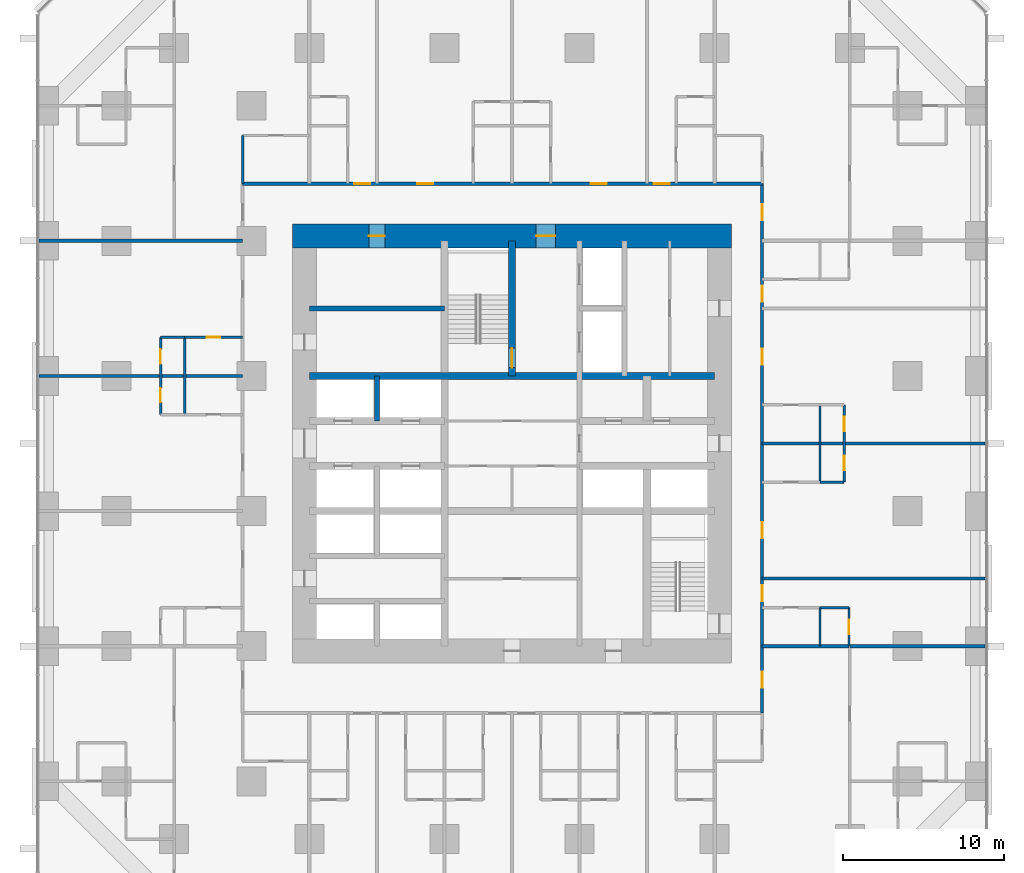
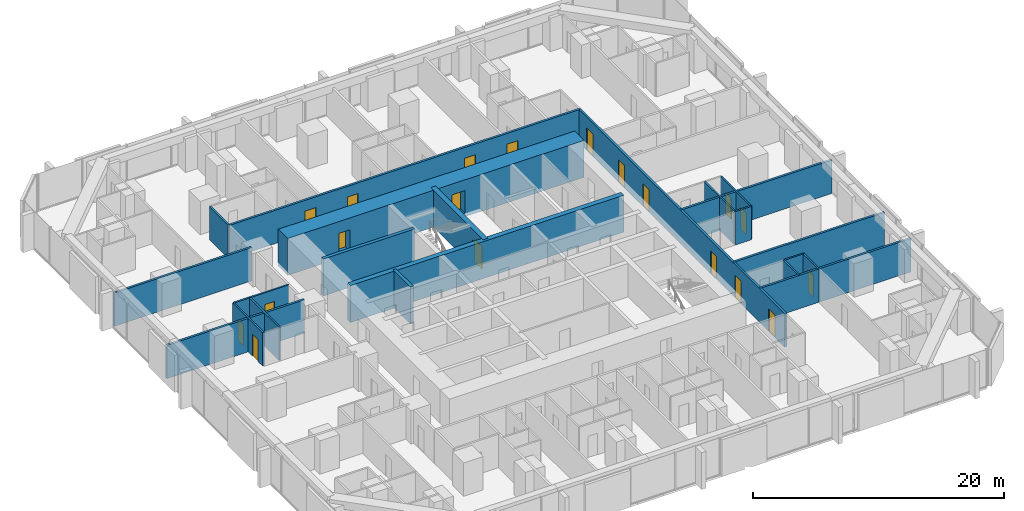
# One storey, part 14 of 17: 24 walls, 19 doors, 19 openings.
"""IFC4 building model written with IfcOpenShell, lengths in metres."""

from ifc_helpers import new_model, si_unit, direction, frame, frame_2d, origin, place, context, subcontext, project, spatial, rectangle, extrude, material, layer, layer_set, type_object, element, fill, save


model = new_model("IFC4")

# Units and contexts
model_context = context("Model", 3, precision=1e-05, world=origin(), true_north=direction((0.0, 1.0)))
body_context = subcontext(model_context, "Body", "Model", "MODEL_VIEW")
ifc_project = project(units=[si_unit("LENGTHUNIT", "METRE"), si_unit("AREAUNIT", "SQUARE_METRE"), si_unit("VOLUMEUNIT", "CUBIC_METRE"), si_unit("PLANEANGLEUNIT", "RADIAN"), si_unit("MASSUNIT", "GRAM", prefix="KILO")], contexts=[model_context])

# Site, building, storey
site_placement = place(None, origin())
site = spatial("IfcSite", under=ifc_project, at=site_placement, CompositionType="ELEMENT")
building_placement = place(site_placement, origin())
building = spatial("IfcBuilding", under=site, at=building_placement, Name="Dunama Terrace Hotel", CompositionType="ELEMENT")
storey_placement = place(building_placement, frame((0.0, 0.0, 73.800048828125)))
storey = spatial("IfcBuildingStorey", under=building, at=storey_placement, Name="L18", CompositionType="ELEMENT", Elevation=73.800048828125)

# Wall
ifc_material_1 = material(Name="Gypsum board partition", Category="masonry")
ifc_layer_1 = layer(ifc_material_1, 0.14990234375)
ifc_layer_set_1 = layer_set([ifc_layer_1], Name="Bathroom partition 150")
wall_type_1 = type_object("IfcWallType", Name="Bathroom partition 150", PredefinedType="PARTITIONING", material=ifc_layer_set_1)
wall_1_placement = place(storey_placement, frame((12.64990234375, 45.550048828125, 0.0), z_axis=(0.0, 0.0, 1.0), x_axis=(0.0, 1.0, 0.0)))
element("IfcWall", 1, at=wall_1_placement, inside=storey, type_object=wall_type_1, Name="Bathroom partition 150 L18", PredefinedType="PARTITIONING", context=body_context, shape_type="SweptSolid", body=[
    extrude(rectangle(XDim=3.0, YDim=0.14990234375, at=frame_2d((1.5, 0.0))), origin(), (0.0, 0.0, 1.0), 3.25),
])

# Wall, opening, door
wall_2_placement = place(storey_placement, frame((9.050048828125, 36.0, 0.0), z_axis=(0.0, 0.0, 1.0), x_axis=(1.0, 0.0, 0.0)))
wall_2 = element("IfcWall", 2, at=wall_2_placement, inside=storey, type_object=wall_type_1, Name="Bathroom partition 150 L18", PredefinedType="PARTITIONING", context=body_context, shape_type="SweptSolid", body=[
    extrude(rectangle(XDim=3.599853515625, YDim=0.14990234375, at=frame_2d((1.7998046875, 0.0))), origin(), (0.0, 0.0, 1.0), 3.25),
])
opening_1_placement = place(wall_2_placement, frame((1.375, 0.0, 0.0)))
opening_1 = element("IfcOpeningElement", 3, at=opening_1_placement, cuts=wall_2, Name="Opening L17-19-058", PredefinedType="OPENING", context=body_context, shape_type="SweptSolid", body=[
    extrude(rectangle(XDim=0.85009765625, YDim=2.10009765625, at=frame_2d((0.425048828125, 1.050048828125))), frame((0.0, 0.0849609375, 0.0), z_axis=(0.0, -1.0, 0.0), x_axis=(1.0, 0.0, 0.0)), (0.0, 0.0, 1.0), 0.169921875),
])
ifc_material_2 = material(Name="Timber door with steel frame", Category="steel")
door_type_1 = type_object("IfcDoorType", Name="Bathroom door 850", OperationType="SINGLE_SWING_LEFT", PredefinedType="DOOR", material=ifc_material_2)
door_1_placement = place(opening_1_placement, frame((0.85009765625, 0.0, 0.0), z_axis=(0.0, 0.0, 1.0), x_axis=(-1.0, 0.0, 0.0)))
door_1 = element("IfcDoor", 4, at=door_1_placement, inside=storey, type_object=door_type_1, Name="Door to en-suite bathroom L17-19-058, type D2", OperationType="SINGLE_SWING_LEFT", OverallHeight=2.10009765625, OverallWidth=0.85009765625, PredefinedType="DOOR", context=body_context, shape_type="SweptSolid", body=[
    extrude(rectangle(XDim=0.85009765625, YDim=2.10009765625, at=frame_2d((0.425048828125, 1.050048828125))), frame((0.0, 0.025146484375, 0.0), z_axis=(0.0, -1.0, 0.0), x_axis=(1.0, 0.0, 0.0)), (0.0, 0.0, 1.0), 0.050048828125),
])
fill(opening_1, door_1)

# Walls
ifc_material_3 = material(Name="Concrete C50/60", Category="concrete")
ifc_layer_2 = layer(ifc_material_3, 0.300048828125)
ifc_layer_set_2 = layer_set([ifc_layer_2], Name="Core inner wall 300")
wall_type_2 = type_object("IfcWallType", Name="Core inner wall 300", PredefinedType="SHEAR", material=ifc_layer_set_2)
wall_3_placement = place(storey_placement, frame((21.0, 30.800048828125, -0.35009765625), z_axis=(0.0, 0.0, 1.0), x_axis=(0.0, 1.0, 0.0)))
element("IfcWall", 5, at=wall_3_placement, inside=storey, type_object=wall_type_2, Name="Core inner wall 300 L18", PredefinedType="SHEAR", context=body_context, shape_type="SweptSolid", body=[
    extrude(rectangle(XDim=2.800048828125, YDim=0.300048828125, at=frame_2d((1.39990234375, 0.0))), origin(), (0.0, 0.0, 1.0), 3.60009765625),
])
wall_4_placement = place(storey_placement, frame((16.800048828125, 37.800048828125, -0.35009765625), z_axis=(0.0, 0.0, 1.0), x_axis=(1.0, 0.0, 0.0)))
element("IfcWall", 6, at=wall_4_placement, inside=storey, type_object=wall_type_2, Name="Core inner wall 300 L18", PredefinedType="SHEAR", context=body_context, shape_type="SweptSolid", body=[
    extrude(rectangle(XDim=8.39990234375, YDim=0.300048828125, at=frame_2d((4.199951171875, 0.0))), origin(), (0.0, 0.0, 1.0), 3.60009765625),
])

# Wall, opening, door
ifc_material_4 = material(Name="Concrete C50/60", Category="concrete")
ifc_layer_3 = layer(ifc_material_4, 0.449951171875)
ifc_layer_set_3 = layer_set([ifc_layer_3], Name="Core inner wall 450")
wall_type_3 = type_object("IfcWallType", Name="Core inner wall 450", PredefinedType="SHEAR", material=ifc_layer_set_3)
wall_5_placement = place(storey_placement, frame((29.39990234375, 33.60009765625, -0.35009765625), z_axis=(0.0, 0.0, 1.0), x_axis=(0.0, 1.0, 0.0)))
wall_5 = element("IfcWall", 7, at=wall_5_placement, inside=storey, type_object=wall_type_3, Name="Core inner wall 450 L18", PredefinedType="SHEAR", context=body_context, shape_type="SweptSolid", body=[
    extrude(rectangle(XDim=8.39990234375, YDim=0.449951171875, at=frame_2d((4.199951171875, 0.0))), origin(), (0.0, 0.0, 1.0), 3.60009765625),
])
opening_2_placement = place(wall_5_placement, frame((0.52490234375, 0.0, 0.35009765625)))
opening_2 = element("IfcOpeningElement", 8, at=opening_2_placement, cuts=wall_5, Name="Opening L17-19-001", PredefinedType="OPENING", context=body_context, shape_type="SweptSolid", body=[
    extrude(rectangle(XDim=1.199951171875, YDim=2.199951171875, at=frame_2d((0.60009765625, 1.10009765625))), frame((0.0, 0.23486328125, 0.0), z_axis=(0.0, -1.0, 0.0), x_axis=(1.0, 0.0, 0.0)), (0.0, 0.0, 1.0), 0.469970703125),
])
ifc_material_5 = material(Name="Timber door with steel frame", Category="steel")
door_type_2 = type_object("IfcDoorType", Name="Stair door 1200", OperationType="SINGLE_SWING_LEFT", PredefinedType="DOOR", material=ifc_material_5)
door_2_placement = place(opening_2_placement, origin())
door_2 = element("IfcDoor", 9, at=door_2_placement, inside=storey, type_object=door_type_2, Name="Stair door ST1 L17-19-001, type D5", OperationType="SINGLE_SWING_LEFT", OverallHeight=2.199951171875, OverallWidth=1.199951171875, PredefinedType="DOOR", context=body_context, shape_type="SweptSolid", body=[
    extrude(rectangle(XDim=1.199951171875, YDim=2.199951171875, at=frame_2d((0.60009765625, 1.10009765625))), frame((0.0, 0.02490234375, 0.0), z_axis=(0.0, -1.0, 0.0), x_axis=(1.0, 0.0, 0.0)), (0.0, 0.0, 1.0), 0.050048828125),
])
fill(opening_2, door_2)

# Wall
wall_6_placement = place(storey_placement, frame((16.800048828125, 33.60009765625, -0.35009765625), z_axis=(0.0, 0.0, 1.0), x_axis=(1.0, 0.0, 0.0)))
element("IfcWall", 10, at=wall_6_placement, inside=storey, type_object=wall_type_3, Name="Core inner wall 450 L18", PredefinedType="SHEAR", context=body_context, shape_type="SweptSolid", body=[
    extrude(rectangle(XDim=25.199951171875, YDim=0.449951171875, at=frame_2d((12.60009765625, 0.0))), origin(), (0.0, 0.0, 1.0), 3.60009765625),
])

# Wall, openings, doors
ifc_material_6 = material(Name="Concrete C60/75", Category="concrete")
ifc_layer_4 = layer(ifc_material_6, 1.5)
ifc_layer_set_4 = layer_set([ifc_layer_4], Name="Core wall 1500")
wall_type_4 = type_object("IfcWallType", Name="Core wall 1500", PredefinedType="SHEAR", material=ifc_layer_set_4)
wall_7_placement = place(storey_placement, frame((43.050048828125, 42.300048828125, -0.35009765625), z_axis=(0.0, 0.0, 1.0), x_axis=(-1.0, 0.0, 0.0)))
wall_7 = element("IfcWall", 11, at=wall_7_placement, inside=storey, type_object=wall_type_4, Name="Core wall north L18", PredefinedType="SHEAR", context=body_context, shape_type="SweptSolid", body=[
    extrude(rectangle(XDim=27.300048828125, YDim=1.5, at=frame_2d((13.64990234375, 0.0))), origin(), (0.0, 0.0, 1.0), 3.60009765625),
])
opening_3_placement = place(wall_7_placement, frame((21.550048828125, 0.0, 0.35009765625)))
opening_3 = element("IfcOpeningElement", 12, at=opening_3_placement, cuts=wall_7, Name="Opening L17-19-087", PredefinedType="OPENING", context=body_context, shape_type="SweptSolid", body=[
    extrude(rectangle(XDim=1.0, YDim=2.10009765625, at=frame_2d((0.5, 1.050048828125))), frame((0.0, 0.760009765625, 0.0), z_axis=(0.0, -1.0, 0.0), x_axis=(1.0, 0.0, 0.0)), (0.0, 0.0, 1.0), 1.52001953125),
])
opening_4_placement = place(wall_7_placement, frame((10.949951171875, 0.0, 0.35009765625)))
opening_4 = element("IfcOpeningElement", 13, at=opening_4_placement, cuts=wall_7, Name="Opening L17-19-095", PredefinedType="OPENING", context=body_context, shape_type="SweptSolid", body=[
    extrude(rectangle(XDim=1.199951171875, YDim=2.199951171875, at=frame_2d((0.60009765625, 1.10009765625))), frame((0.0, 0.760009765625, 0.0), z_axis=(0.0, -1.0, 0.0), x_axis=(1.0, 0.0, 0.0)), (0.0, 0.0, 1.0), 1.52001953125),
])
ifc_material_7 = material(Name="Timber door with steel frame", Category="steel")
door_type_3 = type_object("IfcDoorType", Name="Firefighting lobby door 1200", OperationType="SINGLE_SWING_LEFT", PredefinedType="DOOR", material=ifc_material_7)
door_3_placement = place(opening_4_placement, origin())
door_3 = element("IfcDoor", 14, at=door_3_placement, inside=storey, type_object=door_type_3, Name="Door to firefighting lobby L17-19-095, type D4", OperationType="SINGLE_SWING_RIGHT", OverallHeight=2.199951171875, OverallWidth=1.199951171875, PredefinedType="DOOR", context=body_context, shape_type="SweptSolid", body=[
    extrude(rectangle(XDim=1.199951171875, YDim=2.199951171875, at=frame_2d((0.60009765625, 1.10009765625))), frame((0.0, 0.02490234375, 0.0), z_axis=(0.0, -1.0, 0.0), x_axis=(1.0, 0.0, 0.0)), (0.0, 0.0, 1.0), 0.050048828125),
])
fill(opening_4, door_3)
ifc_material_8 = material(Name="Timber door with steel frame", Category="steel")
door_type_4 = type_object("IfcDoorType", Name="Service door 1000", OperationType="SINGLE_SWING_LEFT", PredefinedType="DOOR", material=ifc_material_8)
door_4_placement = place(opening_3_placement, origin())
door_4 = element("IfcDoor", 15, at=door_4_placement, inside=storey, type_object=door_type_4, Name="Door to communications and riser room L17-19-087, type D7", OperationType="SINGLE_SWING_LEFT", OverallHeight=2.10009765625, OverallWidth=1.0, PredefinedType="DOOR", context=body_context, shape_type="SweptSolid", body=[
    extrude(rectangle(XDim=1.0, YDim=2.10009765625, at=frame_2d((0.5, 1.050048828125))), frame((0.0, 0.02490234375, 0.0), z_axis=(0.0, -1.0, 0.0), x_axis=(1.0, 0.0, 0.0)), (0.0, 0.0, 1.0), 0.050048828125),
])
fill(opening_3, door_4)

ifc_material_9 = material(Name="Concrete blockwork", Category="masonry")
ifc_layer_5 = layer(ifc_material_9, 0.199951171875)
ifc_layer_set_5 = layer_set([ifc_layer_5], Name="Corridor partition 200")
wall_type_5 = type_object("IfcWallType", Name="Corridor partition 200", PredefinedType="PARTITIONING", material=ifc_layer_set_5)
wall_8_placement = place(storey_placement, frame((12.64990234375, 45.550048828125, 0.0), z_axis=(0.0, 0.0, 1.0), x_axis=(1.0, 0.0, 0.0)))
wall_8 = element("IfcWall", 16, at=wall_8_placement, inside=storey, type_object=wall_type_5, Name="Corridor partition 200 L18", PredefinedType="PARTITIONING", context=body_context, shape_type="SweptSolid", body=[
    extrude(rectangle(XDim=32.300048828125, YDim=0.199951171875, at=frame_2d((16.14990234375, 0.0))), origin(), (0.0, 0.0, 1.0), 3.25),
])
opening_5_placement = place(wall_8_placement, frame((6.949951171875, 0.0, 0.0)))
opening_5 = element("IfcOpeningElement", 17, at=opening_5_placement, cuts=wall_8, Name="Opening L17-19-039", PredefinedType="OPENING", context=body_context, shape_type="SweptSolid", body=[
    extrude(rectangle(XDim=1.0, YDim=2.199951171875, at=frame_2d((0.5, 1.10009765625))), frame((0.0, 0.10986328125, 0.0), z_axis=(0.0, -1.0, 0.0), x_axis=(1.0, 0.0, 0.0)), (0.0, 0.0, 1.0), 0.219970703125),
])
opening_6_placement = place(wall_8_placement, frame((10.85009765625, 0.0, 0.0)))
opening_6 = element("IfcOpeningElement", 18, at=opening_6_placement, cuts=wall_8, Name="Opening L17-19-042", PredefinedType="OPENING", context=body_context, shape_type="SweptSolid", body=[
    extrude(rectangle(XDim=1.0, YDim=2.199951171875, at=frame_2d((0.5, 1.10009765625))), frame((0.0, 0.10986328125, 0.0), z_axis=(0.0, -1.0, 0.0), x_axis=(1.0, 0.0, 0.0)), (0.0, 0.0, 1.0), 0.219970703125),
])
opening_7_placement = place(wall_8_placement, frame((21.64990234375, 0.0, 0.0)))
opening_7 = element("IfcOpeningElement", 19, at=opening_7_placement, cuts=wall_8, Name="Opening L17-19-045", PredefinedType="OPENING", context=body_context, shape_type="SweptSolid", body=[
    extrude(rectangle(XDim=1.0, YDim=2.199951171875, at=frame_2d((0.5, 1.10009765625))), frame((0.0, 0.10986328125, 0.0), z_axis=(0.0, -1.0, 0.0), x_axis=(1.0, 0.0, 0.0)), (0.0, 0.0, 1.0), 0.219970703125),
])
opening_8_placement = place(wall_8_placement, frame((25.550048828125, 0.0, 0.0)))
opening_8 = element("IfcOpeningElement", 20, at=opening_8_placement, cuts=wall_8, Name="Opening L17-19-048", PredefinedType="OPENING", context=body_context, shape_type="SweptSolid", body=[
    extrude(rectangle(XDim=1.0, YDim=2.199951171875, at=frame_2d((0.5, 1.10009765625))), frame((0.0, 0.10986328125, 0.0), z_axis=(0.0, -1.0, 0.0), x_axis=(1.0, 0.0, 0.0)), (0.0, 0.0, 1.0), 0.219970703125),
])
ifc_material_10 = material(Name="Timber door with steel frame", Category="steel")
door_type_5 = type_object("IfcDoorType", Name="Guest room door 1000", OperationType="SINGLE_SWING_LEFT", PredefinedType="DOOR", material=ifc_material_10)
door_5_placement = place(opening_5_placement, origin())
door_5 = element("IfcDoor", 21, at=door_5_placement, inside=storey, type_object=door_type_5, Name="Door to deluxe room L17-19-039, type D1", OperationType="SINGLE_SWING_RIGHT", OverallHeight=2.199951171875, OverallWidth=1.0, PredefinedType="DOOR", context=body_context, shape_type="SweptSolid", body=[
    extrude(rectangle(XDim=1.0, YDim=2.199951171875, at=frame_2d((0.5, 1.10009765625))), frame((0.0, 0.02490234375, 0.0), z_axis=(0.0, -1.0, 0.0), x_axis=(1.0, 0.0, 0.0)), (0.0, 0.0, 1.0), 0.050048828125),
])
fill(opening_5, door_5)
door_6_placement = place(opening_6_placement, origin())
door_6 = element("IfcDoor", 22, at=door_6_placement, inside=storey, type_object=door_type_5, Name="Door to junior suite L17-19-042, type D1", OperationType="SINGLE_SWING_LEFT", OverallHeight=2.199951171875, OverallWidth=1.0, PredefinedType="DOOR", context=body_context, shape_type="SweptSolid", body=[
    extrude(rectangle(XDim=1.0, YDim=2.199951171875, at=frame_2d((0.5, 1.10009765625))), frame((0.0, 0.02490234375, 0.0), z_axis=(0.0, -1.0, 0.0), x_axis=(1.0, 0.0, 0.0)), (0.0, 0.0, 1.0), 0.050048828125),
])
fill(opening_6, door_6)
door_7_placement = place(opening_7_placement, origin())
door_7 = element("IfcDoor", 23, at=door_7_placement, inside=storey, type_object=door_type_5, Name="Door to junior suite L17-19-045, type D1", OperationType="SINGLE_SWING_RIGHT", OverallHeight=2.199951171875, OverallWidth=1.0, PredefinedType="DOOR", context=body_context, shape_type="SweptSolid", body=[
    extrude(rectangle(XDim=1.0, YDim=2.199951171875, at=frame_2d((0.5, 1.10009765625))), frame((0.0, 0.02490234375, 0.0), z_axis=(0.0, -1.0, 0.0), x_axis=(1.0, 0.0, 0.0)), (0.0, 0.0, 1.0), 0.050048828125),
])
fill(opening_7, door_7)
door_8_placement = place(opening_8_placement, origin())
door_8 = element("IfcDoor", 24, at=door_8_placement, inside=storey, type_object=door_type_5, Name="Door to deluxe room L17-19-048, type D1", OperationType="SINGLE_SWING_LEFT", OverallHeight=2.199951171875, OverallWidth=1.0, PredefinedType="DOOR", context=body_context, shape_type="SweptSolid", body=[
    extrude(rectangle(XDim=1.0, YDim=2.199951171875, at=frame_2d((0.5, 1.10009765625))), frame((0.0, 0.02490234375, 0.0), z_axis=(0.0, -1.0, 0.0), x_axis=(1.0, 0.0, 0.0)), (0.0, 0.0, 1.0), 0.050048828125),
])
fill(opening_8, door_8)

wall_9_placement = place(storey_placement, frame((44.949951171875, 45.550048828125, 0.0), z_axis=(0.0, 0.0, 1.0), x_axis=(0.0, -1.0, 0.0)))
wall_9 = element("IfcWall", 25, at=wall_9_placement, inside=storey, type_object=wall_type_5, Name="Corridor partition 200 L18", PredefinedType="PARTITIONING", context=body_context, shape_type="SweptSolid", body=[
    extrude(rectangle(XDim=32.900146484375, YDim=0.199951171875, at=frame_2d((16.4501953125, 0.0))), origin(), (0.0, 0.0, 1.0), 3.25),
])
opening_9_placement = place(wall_9_placement, frame((24.949951171875, 0.0, 0.0)))
opening_9 = element("IfcOpeningElement", 26, at=opening_9_placement, cuts=wall_9, Name="Opening L17-19-027", PredefinedType="OPENING", context=body_context, shape_type="SweptSolid", body=[
    extrude(rectangle(XDim=1.0, YDim=2.199951171875, at=frame_2d((0.5, 1.10009765625))), frame((0.0, 0.10986328125, 0.0), z_axis=(0.0, -1.0, 0.0), x_axis=(1.0, 0.0, 0.0)), (0.0, 0.0, 1.0), 0.219970703125),
])
opening_10_placement = place(wall_9_placement, frame((21.050048828125, 0.0, 0.0)))
opening_10 = element("IfcOpeningElement", 27, at=opening_10_placement, cuts=wall_9, Name="Opening L17-19-030", PredefinedType="OPENING", context=body_context, shape_type="SweptSolid", body=[
    extrude(rectangle(XDim=1.0, YDim=2.199951171875, at=frame_2d((0.5, 1.10009765625))), frame((0.0, 0.10986328125, 0.0), z_axis=(0.0, -1.0, 0.0), x_axis=(1.0, 0.0, 0.0)), (0.0, 0.0, 1.0), 0.219970703125),
])
opening_11_placement = place(wall_9_placement, frame((10.25, 0.0, 0.0)))
opening_11 = element("IfcOpeningElement", 28, at=opening_11_placement, cuts=wall_9, Name="Opening L17-19-033", PredefinedType="OPENING", context=body_context, shape_type="SweptSolid", body=[
    extrude(rectangle(XDim=1.0, YDim=2.199951171875, at=frame_2d((0.5, 1.10009765625))), frame((0.0, 0.10986328125, 0.0), z_axis=(0.0, -1.0, 0.0), x_axis=(1.0, 0.0, 0.0)), (0.0, 0.0, 1.0), 0.219970703125),
])
opening_12_placement = place(wall_9_placement, frame((6.35009765625, 0.0, 0.0)))
opening_12 = element("IfcOpeningElement", 29, at=opening_12_placement, cuts=wall_9, Name="Opening L17-19-036", PredefinedType="OPENING", context=body_context, shape_type="SweptSolid", body=[
    extrude(rectangle(XDim=1.0, YDim=2.199951171875, at=frame_2d((0.5, 1.10009765625))), frame((0.0, 0.10986328125, 0.0), z_axis=(0.0, -1.0, 0.0), x_axis=(1.0, 0.0, 0.0)), (0.0, 0.0, 1.0), 0.219970703125),
])
opening_13_placement = place(wall_9_placement, frame((30.324951171875, 0.0, 0.0)))
opening_13 = element("IfcOpeningElement", 30, at=opening_13_placement, cuts=wall_9, Name="Opening L17-19-066", PredefinedType="OPENING", context=body_context, shape_type="SweptSolid", body=[
    extrude(rectangle(XDim=1.0, YDim=2.199951171875, at=frame_2d((0.5, 1.10009765625))), frame((0.0, 0.10986328125, 0.0), z_axis=(0.0, -1.0, 0.0), x_axis=(1.0, 0.0, 0.0)), (0.0, 0.0, 1.0), 0.219970703125),
])
opening_14_placement = place(wall_9_placement, frame((1.27490234375, 0.0, 0.0)))
opening_14 = element("IfcOpeningElement", 31, at=opening_14_placement, cuts=wall_9, Name="Opening L17-19-072", PredefinedType="OPENING", context=body_context, shape_type="SweptSolid", body=[
    extrude(rectangle(XDim=1.0, YDim=2.199951171875, at=frame_2d((0.5, 1.10009765625))), frame((0.0, 0.10986328125, 0.0), z_axis=(0.0, -1.0, 0.0), x_axis=(1.0, 0.0, 0.0)), (0.0, 0.0, 1.0), 0.219970703125),
])
door_9_placement = place(opening_9_placement, origin())
door_9 = element("IfcDoor", 32, at=door_9_placement, inside=storey, type_object=door_type_5, Name="Door to deluxe room L17-19-027, type D1", OperationType="SINGLE_SWING_LEFT", OverallHeight=2.199951171875, OverallWidth=1.0, PredefinedType="DOOR", context=body_context, shape_type="SweptSolid", body=[
    extrude(rectangle(XDim=1.0, YDim=2.199951171875, at=frame_2d((0.5, 1.10009765625))), frame((0.0, 0.02490234375, 0.0), z_axis=(0.0, -1.0, 0.0), x_axis=(1.0, 0.0, 0.0)), (0.0, 0.0, 1.0), 0.050048828125),
])
fill(opening_9, door_9)
door_10_placement = place(opening_10_placement, origin())
door_10 = element("IfcDoor", 33, at=door_10_placement, inside=storey, type_object=door_type_5, Name="Door to junior suite L17-19-030, type D1", OperationType="SINGLE_SWING_LEFT", OverallHeight=2.199951171875, OverallWidth=1.0, PredefinedType="DOOR", context=body_context, shape_type="SweptSolid", body=[
    extrude(rectangle(XDim=1.0, YDim=2.199951171875, at=frame_2d((0.5, 1.10009765625))), frame((0.0, 0.02490234375, 0.0), z_axis=(0.0, -1.0, 0.0), x_axis=(1.0, 0.0, 0.0)), (0.0, 0.0, 1.0), 0.050048828125),
])
fill(opening_10, door_10)
door_11_placement = place(opening_11_placement, origin())
door_11 = element("IfcDoor", 34, at=door_11_placement, inside=storey, type_object=door_type_5, Name="Door to junior suite L17-19-033, type D1", OperationType="SINGLE_SWING_LEFT", OverallHeight=2.199951171875, OverallWidth=1.0, PredefinedType="DOOR", context=body_context, shape_type="SweptSolid", body=[
    extrude(rectangle(XDim=1.0, YDim=2.199951171875, at=frame_2d((0.5, 1.10009765625))), frame((0.0, 0.02490234375, 0.0), z_axis=(0.0, -1.0, 0.0), x_axis=(1.0, 0.0, 0.0)), (0.0, 0.0, 1.0), 0.050048828125),
])
fill(opening_11, door_11)
door_12_placement = place(opening_12_placement, origin())
door_12 = element("IfcDoor", 35, at=door_12_placement, inside=storey, type_object=door_type_5, Name="Door to deluxe room L17-19-036, type D1", OperationType="SINGLE_SWING_RIGHT", OverallHeight=2.199951171875, OverallWidth=1.0, PredefinedType="DOOR", context=body_context, shape_type="SweptSolid", body=[
    extrude(rectangle(XDim=1.0, YDim=2.199951171875, at=frame_2d((0.5, 1.10009765625))), frame((0.0, 0.02490234375, 0.0), z_axis=(0.0, -1.0, 0.0), x_axis=(1.0, 0.0, 0.0)), (0.0, 0.0, 1.0), 0.050048828125),
])
fill(opening_12, door_12)
door_13_placement = place(opening_13_placement, origin())
door_13 = element("IfcDoor", 36, at=door_13_placement, inside=storey, type_object=door_type_5, Name="Door to corner suite living room L17-19-066, type D1", OperationType="SINGLE_SWING_RIGHT", OverallHeight=2.199951171875, OverallWidth=1.0, PredefinedType="DOOR", context=body_context, shape_type="SweptSolid", body=[
    extrude(rectangle(XDim=1.0, YDim=2.199951171875, at=frame_2d((0.5, 1.10009765625))), frame((0.0, 0.02490234375, 0.0), z_axis=(0.0, -1.0, 0.0), x_axis=(1.0, 0.0, 0.0)), (0.0, 0.0, 1.0), 0.050048828125),
])
fill(opening_13, door_13)
door_14_placement = place(opening_14_placement, origin())
door_14 = element("IfcDoor", 37, at=door_14_placement, inside=storey, type_object=door_type_5, Name="Door to corner suite living room L17-19-072, type D1", OperationType="SINGLE_SWING_LEFT", OverallHeight=2.199951171875, OverallWidth=1.0, PredefinedType="DOOR", context=body_context, shape_type="SweptSolid", body=[
    extrude(rectangle(XDim=1.0, YDim=2.199951171875, at=frame_2d((0.5, 1.10009765625))), frame((0.0, 0.02490234375, 0.0), z_axis=(0.0, -1.0, 0.0), x_axis=(1.0, 0.0, 0.0)), (0.0, 0.0, 1.0), 0.050048828125),
])
fill(opening_14, door_14)

# Walls
ifc_material_11 = material(Name="Concrete blockwork", Category="masonry")
ifc_layer_6 = layer(ifc_material_11, 0.199951171875)
ifc_layer_set_6 = layer_set([ifc_layer_6], Name="Party wall 200")
wall_type_6 = type_object("IfcWallType", Name="Party wall 200", PredefinedType="PARTITIONING", material=ifc_layer_set_6)
wall_10_placement = place(storey_placement, frame((44.949951171875, 16.800048828125, 0.0), z_axis=(0.0, 0.0, 1.0), x_axis=(1.0, 0.0, 0.0)))
element("IfcWall", 38, at=wall_10_placement, inside=storey, type_object=wall_type_6, Name="Party wall 200 L18", PredefinedType="PARTITIONING", context=body_context, shape_type="SweptSolid", body=[
    extrude(rectangle(XDim=5.400146484375, YDim=0.199951171875, at=frame_2d((2.7001953125, 0.0))), origin(), (0.0, 0.0, 1.0), 3.25),
])
wall_11_placement = place(storey_placement, frame((50.39990234375, 16.800048828125, 0.0), z_axis=(0.0, 0.0, 1.0), x_axis=(1.0, 0.0, 0.0)))
element("IfcWall", 39, at=wall_11_placement, inside=storey, type_object=wall_type_6, Name="Party wall 200 L18", PredefinedType="PARTITIONING", context=body_context, shape_type="SweptSolid", body=[
    extrude(rectangle(XDim=8.408203125, YDim=0.199951171875, at=frame_2d((4.2041015625, 0.0))), origin(), (0.0, 0.0, 1.0), 3.25),
])
for number, where, z_axis, x_axis, name in (
    (40, (44.949951171875, 21.0, 0.0), (0.0, 0.0, 1.0), (1.0, 0.0, 0.0), "Party wall 200 L18"),
    (41, (44.949951171875, 29.39990234375, 0.0), (0.0, 0.0, 1.0), (1.0, 0.0, 0.0), "Party wall 200 L18"),
):
    element("IfcWall", number, at=place(storey_placement, frame(where, z_axis=z_axis, x_axis=x_axis)), inside=storey, type_object=wall_type_6, Name=name, PredefinedType="PARTITIONING", context=body_context, shape_type="SweptSolid", body=[
        extrude(rectangle(XDim=13.858154296875, YDim=0.199951171875, at=frame_2d((6.92919921875, 0.0))), origin(), (0.0, 0.0, 1.0), 3.25),
    ])
for number, where, z_axis, x_axis, name in (
    (42, (-0.008056640625, 33.60009765625, 0.0), (0.0, 0.0, 1.0), (1.0, 0.0, 0.0), "Party wall 200 L18"),
    (43, (-0.008056640625, 42.0, 0.0), (0.0, 0.0, 1.0), (1.0, 0.0, 0.0), "Party wall 200 L18"),
):
    element("IfcWall", number, at=place(storey_placement, frame(where, z_axis=z_axis, x_axis=x_axis)), inside=storey, type_object=wall_type_6, Name=name, PredefinedType="PARTITIONING", context=body_context, shape_type="SweptSolid", body=[
        extrude(rectangle(XDim=12.657958984375, YDim=0.199951171875, at=frame_2d((6.3291015625, 0.0))), origin(), (0.0, 0.0, 1.0), 3.25),
    ])

# Wall, openings, doors
ifc_material_12 = material(Name="Gypsum board partition", Category="masonry")
ifc_layer_7 = layer(ifc_material_12, 0.14990234375)
ifc_layer_set_7 = layer_set([ifc_layer_7], Name="Room partition 150")
wall_type_7 = type_object("IfcWallType", Name="Room partition 150", PredefinedType="PARTITIONING", material=ifc_layer_set_7)
wall_12_placement = place(storey_placement, frame((7.550048828125, 31.199951171875, 0.0), z_axis=(0.0, 0.0, 1.0), x_axis=(0.0, 1.0, 0.0)))
wall_12 = element("IfcWall", 44, at=wall_12_placement, inside=storey, type_object=wall_type_7, Name="Room partition 150 L18", PredefinedType="PARTITIONING", context=body_context, shape_type="SweptSolid", body=[
    extrude(rectangle(XDim=4.800048828125, YDim=0.14990234375, at=frame_2d((2.39990234375, 0.0))), origin(), (0.0, 0.0, 1.0), 3.25),
])
opening_15_placement = place(wall_12_placement, frame((0.75, 0.0, 0.0)))
opening_15 = element("IfcOpeningElement", 45, at=opening_15_placement, cuts=wall_12, Name="Opening L17-19-056", PredefinedType="OPENING", context=body_context, shape_type="SweptSolid", body=[
    extrude(rectangle(XDim=0.89990234375, YDim=2.10009765625, at=frame_2d((0.449951171875, 1.050048828125))), frame((0.0, 0.0849609375, 0.0), z_axis=(0.0, -1.0, 0.0), x_axis=(1.0, 0.0, 0.0)), (0.0, 0.0, 1.0), 0.169921875),
])
opening_16_placement = place(wall_12_placement, frame((3.14990234375, 0.0, 0.0)))
opening_16 = element("IfcOpeningElement", 46, at=opening_16_placement, cuts=wall_12, Name="Opening L17-19-059", PredefinedType="OPENING", context=body_context, shape_type="SweptSolid", body=[
    extrude(rectangle(XDim=0.89990234375, YDim=2.10009765625, at=frame_2d((0.449951171875, 1.050048828125))), frame((0.0, 0.0849609375, 0.0), z_axis=(0.0, -1.0, 0.0), x_axis=(1.0, 0.0, 0.0)), (0.0, 0.0, 1.0), 0.169921875),
])
ifc_material_13 = material(Name="Timber door with steel frame", Category="steel")
door_type_6 = type_object("IfcDoorType", Name="Suite internal door 900", OperationType="SINGLE_SWING_LEFT", PredefinedType="DOOR", material=ifc_material_13)
door_15_placement = place(opening_15_placement, frame((0.89990234375, 0.0, 0.0), z_axis=(0.0, 0.0, 1.0), x_axis=(-1.0, 0.0, 0.0)))
door_15 = element("IfcDoor", 47, at=door_15_placement, inside=storey, type_object=door_type_6, Name="Door to walk-in wardrobe L17-19-056, type D16", OperationType="SINGLE_SWING_RIGHT", OverallHeight=2.10009765625, OverallWidth=0.89990234375, PredefinedType="DOOR", context=body_context, shape_type="SweptSolid", body=[
    extrude(rectangle(XDim=0.89990234375, YDim=2.10009765625, at=frame_2d((0.449951171875, 1.050048828125))), frame((0.0, 0.025146484375, 0.0), z_axis=(0.0, -1.0, 0.0), x_axis=(1.0, 0.0, 0.0)), (0.0, 0.0, 1.0), 0.050048828125),
])
fill(opening_15, door_15)
door_16_placement = place(opening_16_placement, frame((0.89990234375, 0.0, 0.0), z_axis=(0.0, 0.0, 1.0), x_axis=(-1.0, 0.0, 0.0)))
door_16 = element("IfcDoor", 48, at=door_16_placement, inside=storey, type_object=door_type_6, Name="Door to walk-in wardrobe L17-19-059, type D16", OperationType="SINGLE_SWING_RIGHT", OverallHeight=2.10009765625, OverallWidth=0.89990234375, PredefinedType="DOOR", context=body_context, shape_type="SweptSolid", body=[
    extrude(rectangle(XDim=0.89990234375, YDim=2.10009765625, at=frame_2d((0.449951171875, 1.050048828125))), frame((0.0, 0.025146484375, 0.0), z_axis=(0.0, -1.0, 0.0), x_axis=(1.0, 0.0, 0.0)), (0.0, 0.0, 1.0), 0.050048828125),
])
fill(opening_16, door_16)

# Walls
wall_13_placement = place(storey_placement, frame((9.050048828125, 31.199951171875, 0.0), z_axis=(0.0, 0.0, 1.0), x_axis=(0.0, 1.0, 0.0)))
element("IfcWall", 49, at=wall_13_placement, inside=storey, type_object=wall_type_7, Name="Room partition 150 L18", PredefinedType="PARTITIONING", context=body_context, shape_type="SweptSolid", body=[
    extrude(rectangle(XDim=4.800048828125, YDim=0.14990234375, at=frame_2d((2.39990234375, 0.0))), origin(), (0.0, 0.0, 1.0), 3.25),
])
wall_14_placement = place(storey_placement, frame((48.550048828125, 16.800048828125, 0.0), z_axis=(0.0, 0.0, 1.0), x_axis=(0.0, 1.0, 0.0)))
element("IfcWall", 50, at=wall_14_placement, inside=storey, type_object=wall_type_7, Name="Room partition 150 L18", PredefinedType="PARTITIONING", context=body_context, shape_type="SweptSolid", body=[
    extrude(rectangle(XDim=2.39990234375, YDim=0.14990234375, at=frame_2d((1.199951171875, 0.0))), origin(), (0.0, 0.0, 1.0), 3.25),
])
wall_15_placement = place(storey_placement, frame((48.550048828125, 27.0, 0.0), z_axis=(0.0, 0.0, 1.0), x_axis=(0.0, 1.0, 0.0)))
element("IfcWall", 51, at=wall_15_placement, inside=storey, type_object=wall_type_7, Name="Room partition 150 L18", PredefinedType="PARTITIONING", context=body_context, shape_type="SweptSolid", body=[
    extrude(rectangle(XDim=4.800048828125, YDim=0.14990234375, at=frame_2d((2.39990234375, 0.0))), origin(), (0.0, 0.0, 1.0), 3.25),
])

# Wall, openings, doors
wall_16_placement = place(storey_placement, frame((50.050048828125, 27.0, 0.0), z_axis=(0.0, 0.0, 1.0), x_axis=(0.0, 1.0, 0.0)))
wall_16 = element("IfcWall", 52, at=wall_16_placement, inside=storey, type_object=wall_type_7, Name="Room partition 150 L18", PredefinedType="PARTITIONING", context=body_context, shape_type="SweptSolid", body=[
    extrude(rectangle(XDim=4.800048828125, YDim=0.14990234375, at=frame_2d((2.39990234375, 0.0))), origin(), (0.0, 0.0, 1.0), 3.25),
])
opening_17_placement = place(wall_16_placement, frame((0.75, 0.0, 0.0)))
opening_17 = element("IfcOpeningElement", 53, at=opening_17_placement, cuts=wall_16, Name="Opening L17-19-032", PredefinedType="OPENING", context=body_context, shape_type="SweptSolid", body=[
    extrude(rectangle(XDim=0.89990234375, YDim=2.10009765625, at=frame_2d((0.449951171875, 1.050048828125))), frame((0.0, 0.0849609375, 0.0), z_axis=(0.0, -1.0, 0.0), x_axis=(1.0, 0.0, 0.0)), (0.0, 0.0, 1.0), 0.169921875),
])
opening_18_placement = place(wall_16_placement, frame((3.14990234375, 0.0, 0.0)))
opening_18 = element("IfcOpeningElement", 54, at=opening_18_placement, cuts=wall_16, Name="Opening L17-19-035", PredefinedType="OPENING", context=body_context, shape_type="SweptSolid", body=[
    extrude(rectangle(XDim=0.89990234375, YDim=2.10009765625, at=frame_2d((0.449951171875, 1.050048828125))), frame((0.0, 0.0849609375, 0.0), z_axis=(0.0, -1.0, 0.0), x_axis=(1.0, 0.0, 0.0)), (0.0, 0.0, 1.0), 0.169921875),
])
door_17_placement = place(opening_17_placement, origin())
door_17 = element("IfcDoor", 55, at=door_17_placement, inside=storey, type_object=door_type_6, Name="Door to walk-in wardrobe L17-19-032, type D16", OperationType="SINGLE_SWING_LEFT", OverallHeight=2.10009765625, OverallWidth=0.89990234375, PredefinedType="DOOR", context=body_context, shape_type="SweptSolid", body=[
    extrude(rectangle(XDim=0.89990234375, YDim=2.10009765625, at=frame_2d((0.449951171875, 1.050048828125))), frame((0.0, 0.02490234375, 0.0), z_axis=(0.0, -1.0, 0.0), x_axis=(1.0, 0.0, 0.0)), (0.0, 0.0, 1.0), 0.050048828125),
])
fill(opening_17, door_17)
door_18_placement = place(opening_18_placement, origin())
door_18 = element("IfcDoor", 56, at=door_18_placement, inside=storey, type_object=door_type_6, Name="Door to walk-in wardrobe L17-19-035, type D16", OperationType="SINGLE_SWING_LEFT", OverallHeight=2.10009765625, OverallWidth=0.89990234375, PredefinedType="DOOR", context=body_context, shape_type="SweptSolid", body=[
    extrude(rectangle(XDim=0.89990234375, YDim=2.10009765625, at=frame_2d((0.449951171875, 1.050048828125))), frame((0.0, 0.02490234375, 0.0), z_axis=(0.0, -1.0, 0.0), x_axis=(1.0, 0.0, 0.0)), (0.0, 0.0, 1.0), 0.050048828125),
])
fill(opening_18, door_18)

# Wall, opening, door
wall_17_placement = place(storey_placement, frame((50.35009765625, 16.800048828125, 0.0), z_axis=(0.0, 0.0, 1.0), x_axis=(0.0, 1.0, 0.0)))
wall_17 = element("IfcWall", 57, at=wall_17_placement, inside=storey, type_object=wall_type_7, Name="Room partition 150 L18", PredefinedType="PARTITIONING", context=body_context, shape_type="SweptSolid", body=[
    extrude(rectangle(XDim=2.39990234375, YDim=0.14990234375, at=frame_2d((1.199951171875, 0.0))), origin(), (0.0, 0.0, 1.0), 3.25),
])
opening_19_placement = place(wall_17_placement, frame((0.75, 0.0, 0.0)))
opening_19 = element("IfcOpeningElement", 58, at=opening_19_placement, cuts=wall_17, Name="Opening L17-19-029", PredefinedType="OPENING", context=body_context, shape_type="SweptSolid", body=[
    extrude(rectangle(XDim=0.89990234375, YDim=2.10009765625, at=frame_2d((0.449951171875, 1.050048828125))), frame((0.0, 0.0849609375, 0.0), z_axis=(0.0, -1.0, 0.0), x_axis=(1.0, 0.0, 0.0)), (0.0, 0.0, 1.0), 0.169921875),
])
door_19_placement = place(opening_19_placement, origin())
door_19 = element("IfcDoor", 59, at=door_19_placement, inside=storey, type_object=door_type_6, Name="Door to walk-in wardrobe L17-19-029, type D16", OperationType="SINGLE_SWING_LEFT", OverallHeight=2.10009765625, OverallWidth=0.89990234375, PredefinedType="DOOR", context=body_context, shape_type="SweptSolid", body=[
    extrude(rectangle(XDim=0.89990234375, YDim=2.10009765625, at=frame_2d((0.449951171875, 1.050048828125))), frame((0.0, 0.02490234375, 0.0), z_axis=(0.0, -1.0, 0.0), x_axis=(1.0, 0.0, 0.0)), (0.0, 0.0, 1.0), 0.050048828125),
])
fill(opening_19, door_19)

# Walls
wall_18_placement = place(storey_placement, frame((48.550048828125, 19.199951171875, 0.0), z_axis=(0.0, 0.0, 1.0), x_axis=(1.0, 0.0, 0.0)))
element("IfcWall", 60, at=wall_18_placement, inside=storey, type_object=wall_type_7, Name="Room partition 150 L18", PredefinedType="PARTITIONING", context=body_context, shape_type="SweptSolid", body=[
    extrude(rectangle(XDim=1.800048828125, YDim=0.14990234375, at=frame_2d((0.89990234375, 0.0))), origin(), (0.0, 0.0, 1.0), 3.25),
])
for number, where, z_axis, x_axis, name in (
    (61, (48.550048828125, 27.0, 0.0), (0.0, 0.0, 1.0), (1.0, 0.0, 0.0), "Room partition 150 L18"),
    (62, (7.550048828125, 36.0, 0.0), (0.0, 0.0, 1.0), (1.0, 0.0, 0.0), "Room partition 150 L18"),
):
    element("IfcWall", number, at=place(storey_placement, frame(where, z_axis=z_axis, x_axis=x_axis)), inside=storey, type_object=wall_type_7, Name=name, PredefinedType="PARTITIONING", context=body_context, shape_type="SweptSolid", body=[
        extrude(rectangle(XDim=1.5, YDim=0.14990234375, at=frame_2d((0.75, 0.0))), origin(), (0.0, 0.0, 1.0), 3.25),
    ])

save(model, "model.ifc")
